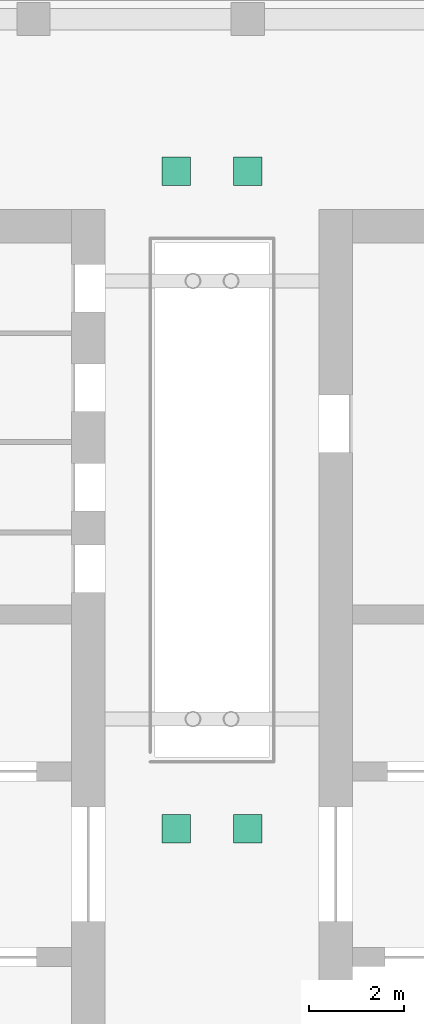
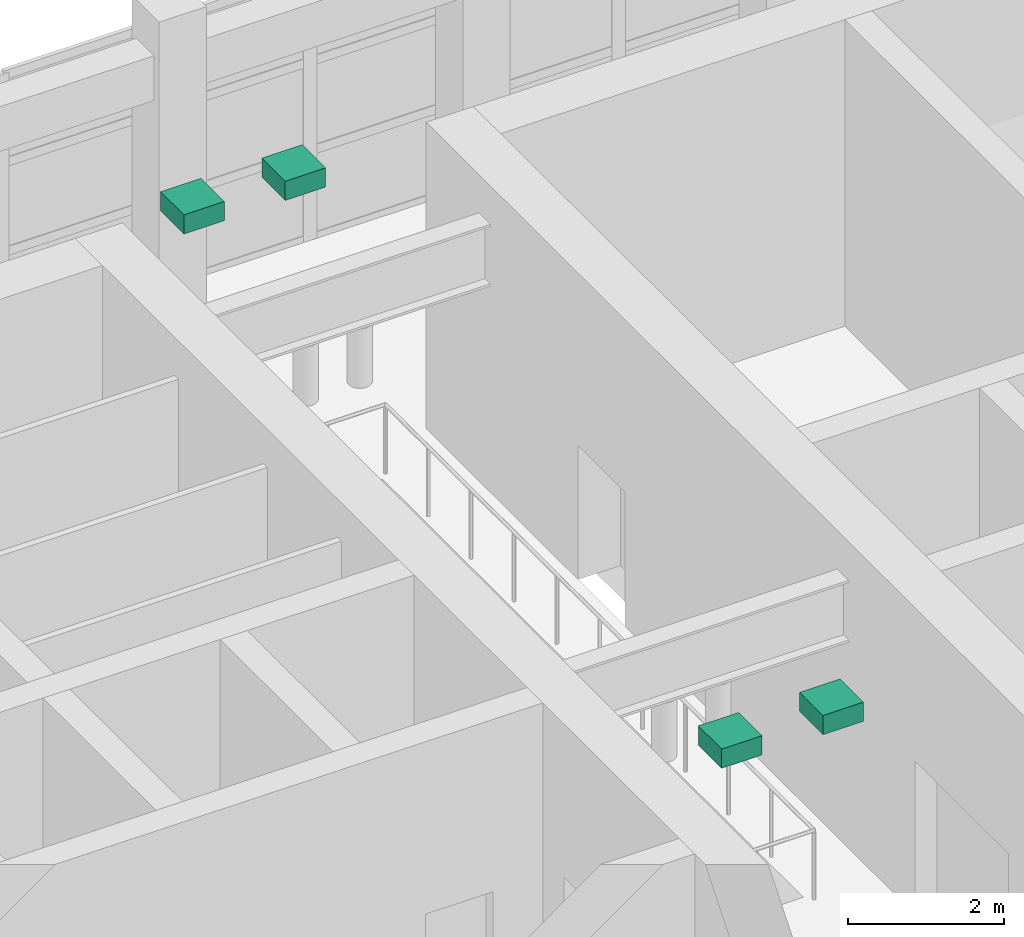
# One storey, part 13 of 13: 4 light fixtures.
"""IFC4 building model written with IfcOpenShell, lengths in metres."""

from ifc_helpers import new_model, si_unit, direction, frame, origin, origin_2d, place, context, subcontext, project, spatial, rectangle, extrude, element, save


model = new_model("IFC4")

# Units and contexts
model_context = context("Model", 3, precision=1e-05, world=origin(), true_north=direction((0.0, 1.0)))
body_context = subcontext(model_context, "Body", "Model", "MODEL_VIEW")
ifc_project = project(units=[si_unit("LENGTHUNIT", "METRE"), si_unit("AREAUNIT", "SQUARE_METRE"), si_unit("VOLUMEUNIT", "CUBIC_METRE"), si_unit("PLANEANGLEUNIT", "RADIAN"), si_unit("MASSUNIT", "GRAM", prefix="KILO")], contexts=[model_context])

# Site, building, storey
site_placement = place(None, origin())
site = spatial("IfcSite", under=ifc_project, at=site_placement, CompositionType="ELEMENT")
building_placement = place(site_placement, origin())
building = spatial("IfcBuilding", under=site, at=building_placement, Name="Corbel Stack Research Tower", CompositionType="ELEMENT")
storey_placement = place(building_placement, frame((0.0, 0.0, 316.60009765625)))
storey = spatial("IfcBuildingStorey", under=building, at=storey_placement, Name="L71", CompositionType="ELEMENT", Elevation=316.60009765625)

# Light fixtures
for number, where, z_axis, x_axis, name in (
    (1, (3.0, 5.5, 3.89990234375), (0.0, 0.0, 1.0), (1.0, 0.0, 0.0), "Damper hall light 1"),
    (2, (4.5, 5.5, 3.89990234375), (0.0, 0.0, 1.0), (1.0, 0.0, 0.0), "Damper hall light 2"),
    (3, (3.0, 19.300048828125, 3.89990234375), (0.0, 0.0, 1.0), (1.0, 0.0, 0.0), "Damper hall light 3"),
    (4, (4.5, 19.300048828125, 3.89990234375), (0.0, 0.0, 1.0), (1.0, 0.0, 0.0), "Damper hall light 4"),
):
    element("IfcLightFixture", number, at=place(storey_placement, frame(where, z_axis=z_axis, x_axis=x_axis)), inside=storey, Name=name, PredefinedType="POINTSOURCE", context=body_context, shape_type="SweptSolid", body=[
        extrude(rectangle(XDim=0.60009765625, YDim=0.60009765625, at=origin_2d()), origin(), (0.0, 0.0, 1.0), 0.300048828125),
    ])

save(model, "model.ifc")
